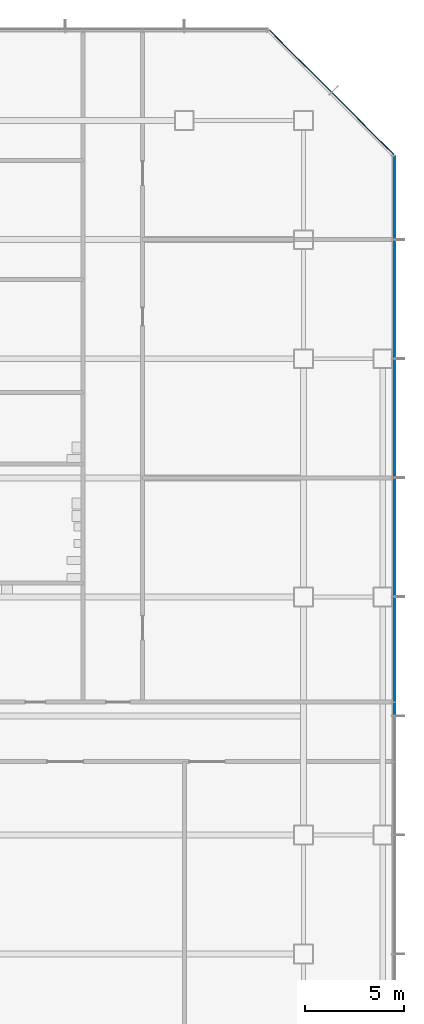
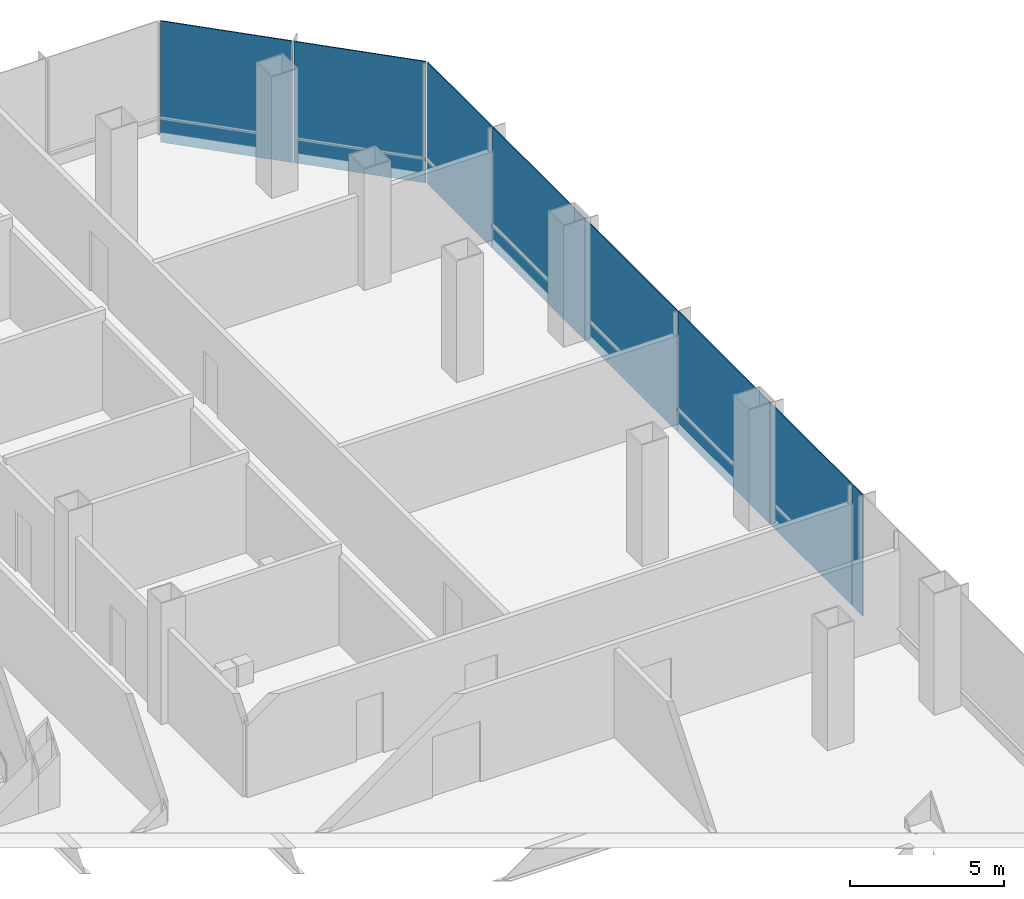
# One storey, part 22 of 33: 8 plates, 2 elements without a shape of their own.
"""IFC4 building model written with IfcOpenShell, lengths in metres."""

import ifcopenshell
import ifcopenshell.guid

model = None  # the IFC model being written
_history = None  # IfcOwnerHistory: only IFC2X3 demands one
_inside = {}  # id of a spatial element -> (the spatial element, [elements in it])
_under = {}  # id of a project, library or spatial element -> (it, [spatial elements below it])
_declared = {}  # id of a project -> (the project, [libraries it declares])
_typed = {}  # id of a type object -> (the type object, [elements of that type])
_made_of = {}  # id of a material, layer set ... -> (it, [elements and type objects made of it])


def new_model(schema):
    """Start an empty IFC model of exactly this schema.

    Asked for "IFC4X3", IfcOpenShell would pick the latest addendum, in which some entities
    have other attributes; the version numbers below select the first issue.
    IFC2X3 requires an IfcOwnerHistory on every rooted entity: one is made here for all.
    """
    global model, _history
    if schema == "IFC4X3":
        model = ifcopenshell.file(schema_version=(4, 3, 0, 0))
    else:
        model = ifcopenshell.file(schema=schema)
    _inside.clear()
    _under.clear()
    _declared.clear()
    _typed.clear()
    _made_of.clear()
    _history = None
    if model.schema == "IFC2X3":
        org = make("IfcOrganization", Name="unknown")
        user = make(
            "IfcPersonAndOrganization",
            ThePerson=make("IfcPerson", FamilyName="unknown"),
            TheOrganization=org,
        )
        app = make(
            "IfcApplication",
            ApplicationDeveloper=org,
            Version="unknown",
            ApplicationFullName="unknown",
            ApplicationIdentifier="unknown",
        )
        _history = make(
            "IfcOwnerHistory",
            OwningUser=user,
            OwningApplication=app,
            ChangeAction="ADDED",
            CreationDate=0,
        )
    return model


def make(cls, **values):
    """One entity of the class cls with the attributes given. An attribute that is None is left unset."""
    return model.create_entity(
        cls, **{name: value for name, value in values.items() if value is not None}
    )


def rooted(cls, **values):
    """An entity with a GlobalId (a new one), such as an element, a storey or a relation."""
    return make(cls, GlobalId=ifcopenshell.guid.new(), OwnerHistory=_history, **values)


def si_unit(unit_type, name, prefix=None):
    """IfcSIUnit, for example si_unit("LENGTHUNIT", "METRE", prefix="MILLI")."""
    return make("IfcSIUnit", UnitType=unit_type, Prefix=prefix, Name=name)


def assignment(units):
    """IfcUnitAssignment: the units of a project."""
    return None if units is None else make("IfcUnitAssignment", Units=units)


def point(xyz):
    """IfcCartesianPoint."""
    return None if xyz is None else make("IfcCartesianPoint", Coordinates=xyz)


def direction(xyz):
    """IfcDirection."""
    return None if xyz is None else make("IfcDirection", DirectionRatios=xyz)


def frame(location, z_axis=None, x_axis=None):
    """IfcAxis2Placement3D, a coordinate frame: its origin and axes. An axis left out is left unset."""
    return make(
        "IfcAxis2Placement3D",
        Location=point(location),
        Axis=direction(z_axis),
        RefDirection=direction(x_axis),
    )


def frame_2d(location, x_axis=None):
    """IfcAxis2Placement2D, a coordinate frame in the plane: its origin and x axis."""
    return make(
        "IfcAxis2Placement2D", Location=point(location), RefDirection=direction(x_axis)
    )


def origin():
    """The frame at (0, 0, 0) with its axes left unset."""
    return frame((0.0, 0.0, 0.0))


def origin_2d():
    """The frame at (0, 0) in the plane with its x axis left unset."""
    return frame_2d((0.0, 0.0))


def place(relative_to, where):
    """IfcLocalPlacement: puts the frame where relative to a parent placement (None: the world)."""
    return make(
        "IfcLocalPlacement", PlacementRelTo=relative_to, RelativePlacement=where
    )


def context(
    kind, dimensions, precision=None, world=None, true_north=None, identifier=None
):
    """IfcGeometricRepresentationContext, for example the 3D "Model" context."""
    return make(
        "IfcGeometricRepresentationContext",
        ContextIdentifier=identifier,
        ContextType=kind,
        CoordinateSpaceDimension=dimensions,
        Precision=precision,
        WorldCoordinateSystem=world,
        TrueNorth=true_north,
    )


def subcontext(parent, identifier, kind, view, scale=None):
    """IfcGeometricRepresentationSubContext, for example "Body" below "Model"."""
    return make(
        "IfcGeometricRepresentationSubContext",
        ContextIdentifier=identifier,
        ContextType=kind,
        ParentContext=parent,
        TargetScale=scale,
        TargetView=view,
    )


def project(units=None, contexts=None):
    """IfcProject with its units and contexts."""
    return rooted(
        "IfcProject",
        Name="project",
        RepresentationContexts=contexts,
        UnitsInContext=assignment(units),
    )


def spatial(cls, under=None, at=None, **own):
    """A site, building, storey or space (cls), placed at a placement, below another one or the project."""
    s = rooted(cls, ObjectPlacement=at, **own)
    if under is not None:
        _under.setdefault(under.id(), (under, []))[1].append(s)
    return s


def profile(cls, at=None, kind="AREA", **sizes):
    """A parametric profile (cls). Its sizes go by their IFC names, for example OverallWidth=200.0."""
    return make(cls, ProfileType=kind, Position=at, **sizes)


def rectangle(**sizes):
    """IfcRectangleProfileDef."""
    return profile("IfcRectangleProfileDef", **sizes)


def extrude(swept, where, along, depth):
    """IfcExtrudedAreaSolid: the profile swept, set in the frame where, extruded along a direction by depth."""
    return make(
        "IfcExtrudedAreaSolid",
        SweptArea=swept,
        Position=where,
        ExtrudedDirection=direction(along),
        Depth=depth,
    )


def shape(context_of_items, identifier, shape_type, items):
    """IfcShapeRepresentation: the items that make up one representation, for example the "Body"."""
    return make(
        "IfcShapeRepresentation",
        ContextOfItems=context_of_items,
        RepresentationIdentifier=identifier,
        RepresentationType=shape_type,
        Items=items,
    )


def material(Name=None, Category=None):
    """IfcMaterial."""
    return make("IfcMaterial", Name=Name, Category=Category)


def layer(
    of_material, thickness, ventilated=None, Name=None, Category=None, Priority=None
):
    """IfcMaterialLayer: one layer of a wall or slab, of a material (None: an air gap)."""
    return make(
        "IfcMaterialLayer",
        Material=of_material,
        LayerThickness=thickness,
        IsVentilated=ventilated,
        Name=Name,
        Category=Category,
        Priority=Priority,
    )


def layer_set(layers, Name=None):
    """IfcMaterialLayerSet."""
    return make("IfcMaterialLayerSet", MaterialLayers=layers, LayerSetName=Name)


def made_of(thing, what):
    """Note that an element or type object is made of a material, layer set ...; save() writes the relation."""
    if what is not None:
        _made_of.setdefault(what.id(), (what, []))[1].append(thing)
    return thing


def type_object(cls, material=None, **own):
    """A type object (cls), such as IfcWallType, which elements share."""
    return made_of(rooted(cls, **own), material)


def element(
    cls,
    number,
    at=None,
    inside=None,
    cuts=None,
    type_object=None,
    material=None,
    context=None,
    identifier="Body",
    shape_type=None,
    held_by="IfcProductDefinitionShape",
    body=None,
    shapes=None,
    **own,
):
    """One element of the class cls, such as IfcWall. Its Tag is "e" and its number.

    at: its placement. inside: the storey or other place that contains it. cuts: it is an
    opening in that element (IfcRelVoidsElement). A single representation is given by context,
    identifier, shape_type and body (its items); several are given by shapes. held_by: the class
    of the entity that holds the representations. save() writes the other relations.
    """
    e = rooted(cls, Tag="e%d" % number, ObjectPlacement=at, **own)
    if body is not None:
        shapes = [shape(context, identifier, shape_type, body)]
    if shapes is not None:
        e.Representation = make(held_by, Representations=shapes)
    if inside is not None:
        _inside.setdefault(inside.id(), (inside, []))[1].append(e)
    if cuts is not None:
        rooted(
            "IfcRelVoidsElement", RelatingBuildingElement=cuts, RelatedOpeningElement=e
        )
    if type_object is not None:
        _typed.setdefault(type_object.id(), (type_object, []))[1].append(e)
    return made_of(e, material)


def aggregate(whole, parts):
    """IfcRelAggregates: a whole, such as a stair, and the parts it consists of."""
    return rooted("IfcRelAggregates", RelatingObject=whole, RelatedObjects=parts)


def save(model, path):
    """Write the relations noted so far, then the file.

    IfcRelAggregates (storeys below a building ...), IfcRelContainedInSpatialStructure (elements
    in a storey), IfcRelDefinesByType, IfcRelAssociatesMaterial and IfcRelDeclares: one each for
    every whole, place, type object, material and project.
    """
    for whole, parts in _under.values():
        aggregate(whole, parts)
    for where, things in _inside.values():
        rooted(
            "IfcRelContainedInSpatialStructure",
            RelatedElements=things,
            RelatingStructure=where,
        )
    for kind, things in _typed.values():
        rooted("IfcRelDefinesByType", RelatedObjects=things, RelatingType=kind)
    for what, things in _made_of.values():
        rooted("IfcRelAssociatesMaterial", RelatedObjects=things, RelatingMaterial=what)
    for by, libraries in _declared.values():
        rooted("IfcRelDeclares", RelatingContext=by, RelatedDefinitions=libraries)
    model.write(path)


model = new_model("IFC4")

# Units and contexts
model_context = context("Model", 3, precision=1e-05, world=origin(), true_north=direction((0.0, 1.0)))
body_context = subcontext(model_context, "Body", "Model", "MODEL_VIEW")
ifc_project = project(units=[si_unit("LENGTHUNIT", "METRE"), si_unit("AREAUNIT", "SQUARE_METRE"), si_unit("VOLUMEUNIT", "CUBIC_METRE"), si_unit("PLANEANGLEUNIT", "RADIAN"), si_unit("MASSUNIT", "GRAM", prefix="KILO")], contexts=[model_context])

# Site, building, storey
site_placement = place(None, origin())
site = spatial("IfcSite", under=ifc_project, at=site_placement, CompositionType="ELEMENT")
building_placement = place(site_placement, origin())
building = spatial("IfcBuilding", under=site, at=building_placement, Name="Sorahane Residences", CompositionType="ELEMENT")
storey_placement = place(building_placement, frame((0.0, 0.0, 30.0)))
storey = spatial("IfcBuildingStorey", under=building, at=storey_placement, Name="L04", CompositionType="ELEMENT", Elevation=30.0)

# Curtain wall, plates
ifc_material_1 = material(Name="Dark low-e glass and black anodised aluminium", Category="aluminium")
curtain_wall_type = type_object("IfcCurtainWallType", Name="Curtain wall CW-3 Podium unitised wall", PredefinedType="NOTDEFINED", material=ifc_material_1)
curtain_wall_1_placement = place(storey_placement, origin())
curtain_wall_1 = element("IfcCurtainWall", 1, at=curtain_wall_1_placement, inside=storey, type_object=curtain_wall_type, Name="CW-3 curtain wall L04 E1", PredefinedType="NOTDEFINED")
ifc_material_2 = material(Name="Dark low-e glass with black ceramic frit", Category="glass")
ifc_layer = layer(ifc_material_2, 0.0400390625)
ifc_layer_set = layer_set([ifc_layer], Name="Curtain wall glass panel dark low-e podium with black frit spandrel band")
plate_type = type_object("IfcPlateType", Name="Curtain wall glass panel dark low-e podium with black frit spandrel band", PredefinedType="CURTAIN_PANEL", material=ifc_layer_set)
plate_1_placement = place(storey_placement, frame((70.60009765625, 18.35009765625, -0.39990234375), z_axis=(0.0, 0.0, 1.0), x_axis=(0.0, 1.0, 0.0)))
plate_1 = element("IfcPlate", 2, at=plate_1_placement, type_object=plate_type, Name="CW-3 glass panel L04 E1.5", PredefinedType="CURTAIN_PANEL", context=body_context, shape_type="SweptSolid", body=[
    extrude(rectangle(XDim=0.64990234375, YDim=0.0400390625, at=origin_2d()), origin(), (0.0, 0.0, 1.0), 4.800048828125),
])
plate_2_placement = place(storey_placement, frame((70.60009765625, 21.35009765625, -0.39990234375), z_axis=(0.0, 0.0, 1.0), x_axis=(0.0, 1.0, 0.0)))
plate_2 = element("IfcPlate", 3, at=plate_2_placement, type_object=plate_type, Name="CW-3 glass panel L04 E1.6", PredefinedType="CURTAIN_PANEL", context=body_context, shape_type="SweptSolid", body=[
    extrude(rectangle(XDim=5.25, YDim=0.0400390625, at=origin_2d()), origin(), (0.0, 0.0, 1.0), 4.800048828125),
])
plate_3_placement = place(storey_placement, frame((70.60009765625, 27.0, -0.39990234375), z_axis=(0.0, 0.0, 1.0), x_axis=(0.0, 1.0, 0.0)))
plate_3 = element("IfcPlate", 4, at=plate_3_placement, type_object=plate_type, Name="CW-3 glass panel L04 E1.7", PredefinedType="CURTAIN_PANEL", context=body_context, shape_type="SweptSolid", body=[
    extrude(rectangle(XDim=5.949951171875, YDim=0.0400390625, at=origin_2d()), origin(), (0.0, 0.0, 1.0), 4.800048828125),
])
plate_4_placement = place(storey_placement, frame((70.60009765625, 33.0, -0.39990234375), z_axis=(0.0, 0.0, 1.0), x_axis=(0.0, 1.0, 0.0)))
plate_4 = element("IfcPlate", 5, at=plate_4_placement, type_object=plate_type, Name="CW-3 glass panel L04 E1.8", PredefinedType="CURTAIN_PANEL", context=body_context, shape_type="SweptSolid", body=[
    extrude(rectangle(XDim=5.949951171875, YDim=0.0400390625, at=origin_2d()), origin(), (0.0, 0.0, 1.0), 4.800048828125),
])
plate_5_placement = place(storey_placement, frame((70.60009765625, 39.0, -0.39990234375), z_axis=(0.0, 0.0, 1.0), x_axis=(0.0, 1.0, 0.0)))
plate_5 = element("IfcPlate", 6, at=plate_5_placement, type_object=plate_type, Name="CW-3 glass panel L04 E1.9", PredefinedType="CURTAIN_PANEL", context=body_context, shape_type="SweptSolid", body=[
    extrude(rectangle(XDim=5.949951171875, YDim=0.0400390625, at=origin_2d()), origin(), (0.0, 0.0, 1.0), 4.800048828125),
])
plate_6_placement = place(storey_placement, frame((70.60009765625, 44.11181640625, -0.39990234375), z_axis=(0.0, 0.0, 1.0), x_axis=(0.0, 1.0, 0.0)))
plate_6 = element("IfcPlate", 7, at=plate_6_placement, type_object=plate_type, Name="CW-3 glass panel L04 E1.10", PredefinedType="CURTAIN_PANEL", context=body_context, shape_type="SweptSolid", body=[
    extrude(rectangle(XDim=4.173583984375, YDim=0.0400390625, at=origin_2d()), origin(), (0.0, 0.0, 1.0), 4.800048828125),
])
aggregate(curtain_wall_1, [plate_1, plate_2, plate_3, plate_4, plate_5, plate_6])

curtain_wall_2_placement = place(storey_placement, origin())
curtain_wall_2 = element("IfcCurtainWall", 8, at=curtain_wall_2_placement, inside=storey, type_object=curtain_wall_type, Name="CW-3 curtain wall L04 NE1", PredefinedType="NOTDEFINED")
plate_7_placement = place(storey_placement, frame((69.003173828125, 47.84521484375, -0.39990234375), z_axis=(0.0, 0.0, 1.0), x_axis=(-0.707106781187, 0.707106781187, 0.0)))
plate_7 = element("IfcPlate", 9, at=plate_7_placement, type_object=plate_type, Name="CW-3 glass panel L04 NE1.1", PredefinedType="CURTAIN_PANEL", context=body_context, shape_type="SweptSolid", body=[
    extrude(rectangle(XDim=4.416259765625, YDim=0.0400390625, at=origin_2d()), origin(), (0.0, 0.0, 1.0), 4.800048828125),
])
plate_8_placement = place(storey_placement, frame((65.84521484375, 51.003173828125, -0.39990234375), z_axis=(0.0, 0.0, 1.0), x_axis=(-0.707106781187, 0.707106781187, 0.0)))
plate_8 = element("IfcPlate", 10, at=plate_8_placement, type_object=plate_type, Name="CW-3 glass panel L04 NE1.2", PredefinedType="CURTAIN_PANEL", context=body_context, shape_type="SweptSolid", body=[
    extrude(rectangle(XDim=4.416259765625, YDim=0.0400390625, at=origin_2d()), origin(), (0.0, 0.0, 1.0), 4.800048828125),
])
aggregate(curtain_wall_2, [plate_7, plate_8])

save(model, "model.ifc")
